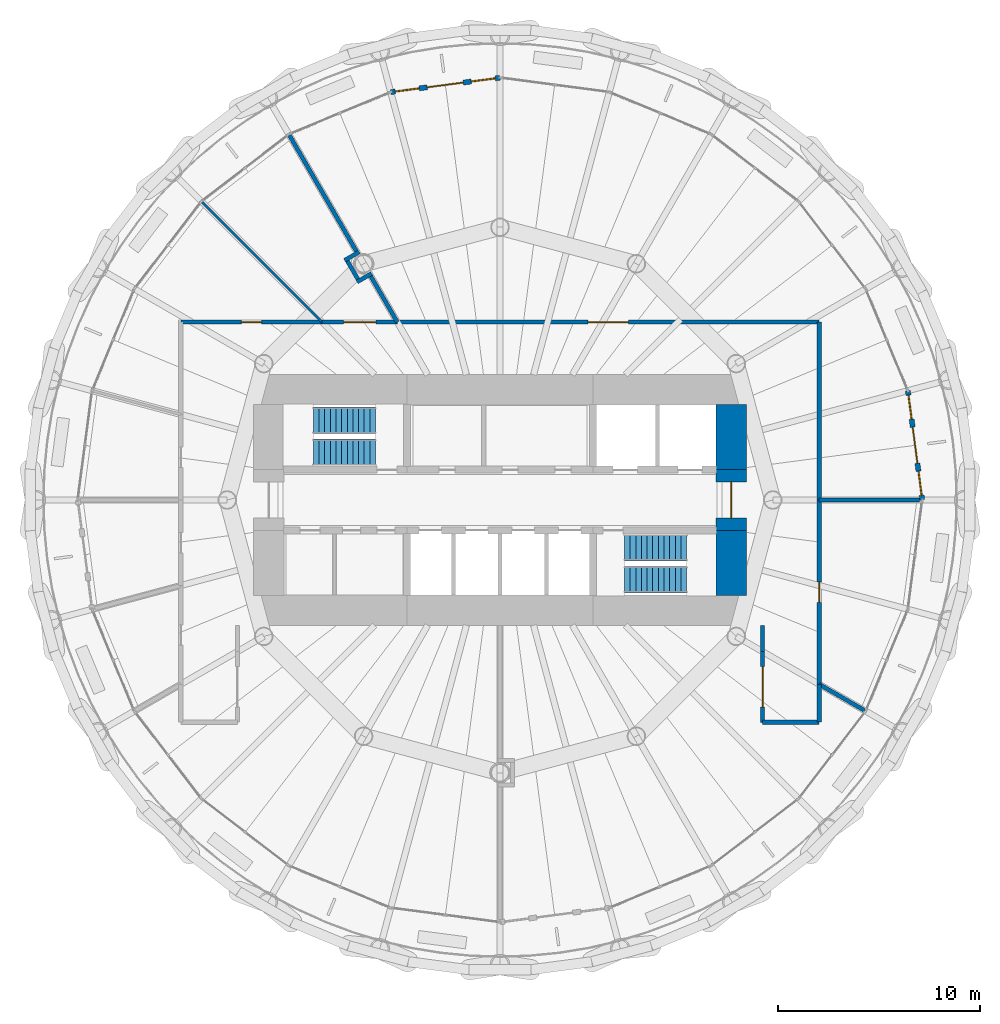
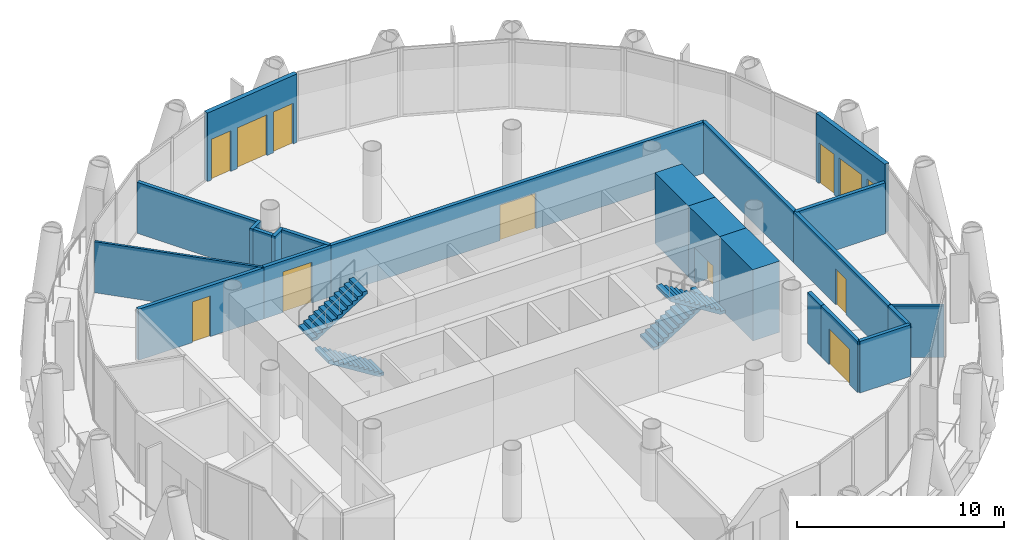
# One storey, part 11 of 14: 22 walls, 8 doors, 4 stair flights, 4 windows, 12 openings, 2 elements without a shape of their own.
"""IFC4 building model written with IfcOpenShell, lengths in metres."""

from ifc_helpers import new_model, si_unit, direction, frame, frame_2d, origin, place, context, subcontext, project, spatial, polyline, rectangle, outline, extrude, material, layer, layer_set, type_object, element, fill, aggregate, save


model = new_model("IFC4")

# Units and contexts
model_context = context("Model", 3, precision=1e-05, world=origin(), true_north=direction((0.0, 1.0)))
body_context = subcontext(model_context, "Body", "Model", "MODEL_VIEW")
ifc_project = project(units=[si_unit("LENGTHUNIT", "METRE"), si_unit("AREAUNIT", "SQUARE_METRE"), si_unit("VOLUMEUNIT", "CUBIC_METRE"), si_unit("PLANEANGLEUNIT", "RADIAN"), si_unit("MASSUNIT", "GRAM", prefix="KILO")], contexts=[model_context])

# Site, building, storey
site_placement = place(None, origin())
site = spatial("IfcSite", under=ifc_project, at=site_placement, CompositionType="ELEMENT")
building_placement = place(site_placement, origin())
building = spatial("IfcBuilding", under=site, at=building_placement, Name="Qaws Media Tower", CompositionType="ELEMENT")
storey_placement = place(building_placement, frame((0.0, 0.0, 206.60009765625)))
storey = spatial("IfcBuildingStorey", under=building, at=storey_placement, Name="L47", CompositionType="ELEMENT", Elevation=206.60009765625)

# Wall, openings, door, windows
ifc_material_1 = material(Name="Precast concrete, exposed finish", Category="concrete")
ifc_layer_1 = layer(ifc_material_1, 0.25)
ifc_layer_set_1 = layer_set([ifc_layer_1], Name="Balcony door wall 250")
wall_type_1 = type_object("IfcWallType", Name="Balcony door wall 250", PredefinedType="SOLIDWALL", material=ifc_layer_set_1)
wall_1_placement = place(storey_placement, frame((80.89990234375, 50.0, 0.0), z_axis=(0.0, 0.0, 1.0), x_axis=(-0.130525119492, 0.991445002601, 0.0)))
wall_1 = element("IfcWall", 1, at=wall_1_placement, inside=storey, type_object=wall_type_1, Name="W112 EW1 balcony door wall L47-01", PredefinedType="SOLIDWALL", context=body_context, shape_type="SweptSolid", body=[
    extrude(rectangle(XDim=5.4560546875, YDim=0.25, at=frame_2d((2.72802734375, 0.0))), origin(), (0.0, 0.0, 1.0), 4.039794921875),
])
opening_1_placement = place(wall_1_placement, frame((1.827880859375, 0.0, 0.0)))
opening_1 = element("IfcOpeningElement", 2, at=opening_1_placement, cuts=wall_1, Name="Opening D7", PredefinedType="OPENING", context=body_context, shape_type="SweptSolid", body=[
    extrude(rectangle(XDim=1.800048828125, YDim=2.39990234375, at=frame_2d((0.89990234375, 1.199951171875))), frame((0.0, 0.135009765625, 0.0), z_axis=(0.0, -1.0, 0.0), x_axis=(1.0, 0.0, 0.0)), (0.0, 0.0, 1.0), 0.27001953125),
])
opening_2_placement = place(wall_1_placement, frame((0.22802734375, 0.0, 0.0)))
opening_2 = element("IfcOpeningElement", 3, at=opening_2_placement, cuts=wall_1, Name="Opening W1", PredefinedType="OPENING", context=body_context, shape_type="SweptSolid", body=[
    extrude(rectangle(XDim=1.199951171875, YDim=2.39990234375, at=frame_2d((0.60009765625, 1.199951171875))), frame((0.0, 0.135009765625, 0.0), z_axis=(0.0, -1.0, 0.0), x_axis=(1.0, 0.0, 0.0)), (0.0, 0.0, 1.0), 0.27001953125),
])
opening_3_placement = place(wall_1_placement, frame((4.028076171875, 0.0, 0.0)))
opening_3 = element("IfcOpeningElement", 4, at=opening_3_placement, cuts=wall_1, Name="Opening W1", PredefinedType="OPENING", context=body_context, shape_type="SweptSolid", body=[
    extrude(rectangle(XDim=1.199951171875, YDim=2.39990234375, at=frame_2d((0.60009765625, 1.199951171875))), frame((0.0, 0.135009765625, 0.0), z_axis=(0.0, -1.0, 0.0), x_axis=(1.0, 0.0, 0.0)), (0.0, 0.0, 1.0), 0.27001953125),
])
ifc_material_2 = material(Name="Aluminium and clear glass", Category="aluminium")
door_type_1 = type_object("IfcDoorType", Name="Balcony door pair 1800", OperationType="DOUBLE_DOOR_SLIDING", PredefinedType="DOOR", material=ifc_material_2)
door_1_placement = place(opening_1_placement, origin())
door_1 = element("IfcDoor", 5, at=door_1_placement, inside=storey, type_object=door_type_1, Name="D7 balcony door L47-01 in wall W112", OperationType="DOUBLE_DOOR_SLIDING", OverallHeight=2.39990234375, OverallWidth=1.800048828125, PredefinedType="DOOR", context=body_context, shape_type="SweptSolid", body=[
    extrude(rectangle(XDim=1.800048828125, YDim=2.39990234375, at=frame_2d((0.89990234375, 1.199951171875))), frame((0.0, 0.02490234375, 0.0), z_axis=(0.0, -1.0, 0.0), x_axis=(1.0, 0.0, 0.0)), (0.0, 0.0, 1.0), 0.050048828125),
])
fill(opening_1, door_1)
ifc_material_3 = material(Name="Aluminium and clear glass", Category="aluminium")
window_type = type_object("IfcWindowType", Name="Balcony side window 1200", PartitioningType="SINGLE_PANEL", PredefinedType="WINDOW", material=ifc_material_3)
window_1_placement = place(opening_2_placement, origin())
window_1 = element("IfcWindow", 6, at=window_1_placement, inside=storey, type_object=window_type, Name="W1 balcony side light L47-01L", OverallHeight=2.39990234375, OverallWidth=1.199951171875, PartitioningType="SINGLE_PANEL", PredefinedType="WINDOW", context=body_context, shape_type="SweptSolid", body=[
    extrude(rectangle(XDim=1.199951171875, YDim=2.39990234375, at=frame_2d((0.60009765625, 1.199951171875))), frame((0.0, 0.030029296875, 0.0), z_axis=(0.0, -1.0, 0.0), x_axis=(1.0, 0.0, 0.0)), (0.0, 0.0, 1.0), 0.06005859375),
])
fill(opening_2, window_1)
window_2_placement = place(opening_3_placement, origin())
window_2 = element("IfcWindow", 7, at=window_2_placement, inside=storey, type_object=window_type, Name="W1 balcony side light L47-01R", OverallHeight=2.39990234375, OverallWidth=1.199951171875, PartitioningType="SINGLE_PANEL", PredefinedType="WINDOW", context=body_context, shape_type="SweptSolid", body=[
    extrude(rectangle(XDim=1.199951171875, YDim=2.39990234375, at=frame_2d((0.60009765625, 1.199951171875))), frame((0.0, 0.030029296875, 0.0), z_axis=(0.0, -1.0, 0.0), x_axis=(1.0, 0.0, 0.0)), (0.0, 0.0, 1.0), 0.06005859375),
])
fill(opening_3, window_2)

wall_2_placement = place(storey_placement, frame((60.0, 70.89990234375, 0.0), z_axis=(0.0, 0.0, 1.0), x_axis=(-0.991445002601, -0.130525119492, 0.0)))
wall_2 = element("IfcWall", 8, at=wall_2_placement, inside=storey, type_object=wall_type_1, Name="W111 EW1 balcony door wall L47-07", PredefinedType="SOLIDWALL", context=body_context, shape_type="SweptSolid", body=[
    extrude(rectangle(XDim=5.4560546875, YDim=0.25, at=frame_2d((2.72802734375, 0.0))), origin(), (0.0, 0.0, 1.0), 4.039794921875),
])
opening_4_placement = place(wall_2_placement, frame((1.827880859375, 0.0, 0.0)))
opening_4 = element("IfcOpeningElement", 9, at=opening_4_placement, cuts=wall_2, Name="Opening D7", PredefinedType="OPENING", context=body_context, shape_type="SweptSolid", body=[
    extrude(rectangle(XDim=1.800048828125, YDim=2.39990234375, at=frame_2d((0.89990234375, 1.199951171875))), frame((0.0, 0.135009765625, 0.0), z_axis=(0.0, -1.0, 0.0), x_axis=(1.0, 0.0, 0.0)), (0.0, 0.0, 1.0), 0.27001953125),
])
opening_5_placement = place(wall_2_placement, frame((0.22802734375, 0.0, 0.0)))
opening_5 = element("IfcOpeningElement", 10, at=opening_5_placement, cuts=wall_2, Name="Opening W1", PredefinedType="OPENING", context=body_context, shape_type="SweptSolid", body=[
    extrude(rectangle(XDim=1.199951171875, YDim=2.39990234375, at=frame_2d((0.60009765625, 1.199951171875))), frame((0.0, 0.135009765625, 0.0), z_axis=(0.0, -1.0, 0.0), x_axis=(1.0, 0.0, 0.0)), (0.0, 0.0, 1.0), 0.27001953125),
])
opening_6_placement = place(wall_2_placement, frame((4.028076171875, 0.0, 0.0)))
opening_6 = element("IfcOpeningElement", 11, at=opening_6_placement, cuts=wall_2, Name="Opening W1", PredefinedType="OPENING", context=body_context, shape_type="SweptSolid", body=[
    extrude(rectangle(XDim=1.199951171875, YDim=2.39990234375, at=frame_2d((0.60009765625, 1.199951171875))), frame((0.0, 0.135009765625, 0.0), z_axis=(0.0, -1.0, 0.0), x_axis=(1.0, 0.0, 0.0)), (0.0, 0.0, 1.0), 0.27001953125),
])
door_2_placement = place(opening_4_placement, origin())
door_2 = element("IfcDoor", 12, at=door_2_placement, inside=storey, type_object=door_type_1, Name="D7 balcony door L47-07 in wall W111", OperationType="DOUBLE_DOOR_SLIDING", OverallHeight=2.39990234375, OverallWidth=1.800048828125, PredefinedType="DOOR", context=body_context, shape_type="SweptSolid", body=[
    extrude(rectangle(XDim=1.800048828125, YDim=2.39990234375, at=frame_2d((0.89990234375, 1.199951171875))), frame((0.0, 0.02490234375, 0.0), z_axis=(0.0, -1.0, 0.0), x_axis=(1.0, 0.0, 0.0)), (0.0, 0.0, 1.0), 0.050048828125),
])
fill(opening_4, door_2)
window_3_placement = place(opening_5_placement, origin())
window_3 = element("IfcWindow", 13, at=window_3_placement, inside=storey, type_object=window_type, Name="W1 balcony side light L47-07L", OverallHeight=2.39990234375, OverallWidth=1.199951171875, PartitioningType="SINGLE_PANEL", PredefinedType="WINDOW", context=body_context, shape_type="SweptSolid", body=[
    extrude(rectangle(XDim=1.199951171875, YDim=2.39990234375, at=frame_2d((0.60009765625, 1.199951171875))), frame((0.0, 0.030029296875, 0.0), z_axis=(0.0, -1.0, 0.0), x_axis=(1.0, 0.0, 0.0)), (0.0, 0.0, 1.0), 0.06005859375),
])
fill(opening_5, window_3)
window_4_placement = place(opening_6_placement, origin())
window_4 = element("IfcWindow", 14, at=window_4_placement, inside=storey, type_object=window_type, Name="W1 balcony side light L47-07R", OverallHeight=2.39990234375, OverallWidth=1.199951171875, PartitioningType="SINGLE_PANEL", PredefinedType="WINDOW", context=body_context, shape_type="SweptSolid", body=[
    extrude(rectangle(XDim=1.199951171875, YDim=2.39990234375, at=frame_2d((0.60009765625, 1.199951171875))), frame((0.0, 0.030029296875, 0.0), z_axis=(0.0, -1.0, 0.0), x_axis=(1.0, 0.0, 0.0)), (0.0, 0.0, 1.0), 0.06005859375),
])
fill(opening_6, window_4)

# Wall
ifc_material_4 = material(Name="Concrete C60/75", Category="concrete")
ifc_layer_2 = layer(ifc_material_4, 1.5)
ifc_layer_set_2 = layer_set([ifc_layer_2], Name="Core wall 1500")
wall_type_2 = type_object("IfcWallType", Name="Core wall 1500", PredefinedType="SHEAR", material=ifc_layer_set_2)
wall_3_placement = place(storey_placement, frame((71.449951171875, 45.280029296875, 0.0), z_axis=(0.0, 0.0, 1.0), x_axis=(0.0, 1.0, 0.0)))
element("IfcWall", 15, at=wall_3_placement, inside=storey, type_object=wall_type_2, Name="W383 SW13 core wall ES L47", PredefinedType="SHEAR", context=body_context, shape_type="SweptSolid", body=[
    extrude(rectangle(XDim=3.219970703125, YDim=1.5, at=frame_2d((1.60986328125, 0.0))), origin(), (0.0, 0.0, 1.0), 4.199951171875),
])

# Wall, opening, door
wall_4_placement = place(storey_placement, frame((71.449951171875, 48.5, 0.0), z_axis=(0.0, 0.0, 1.0), x_axis=(0.0, 1.0, 0.0)))
wall_4 = element("IfcWall", 16, at=wall_4_placement, inside=storey, type_object=wall_type_2, Name="W384 SW13 core wall E L47", PredefinedType="SHEAR", context=body_context, shape_type="SweptSolid", body=[
    extrude(rectangle(XDim=3.0, YDim=1.5, at=frame_2d((1.5, 0.0))), origin(), (0.0, 0.0, 1.0), 4.199951171875),
])
opening_7_placement = place(wall_4_placement, frame((0.60009765625, 0.0, 0.0)))
opening_7 = element("IfcOpeningElement", 17, at=opening_7_placement, cuts=wall_4, Name="Opening D2", PredefinedType="OPENING", context=body_context, shape_type="SweptSolid", body=[
    extrude(rectangle(XDim=1.800048828125, YDim=2.10009765625, at=frame_2d((0.89990234375, 1.050048828125))), frame((0.0, 0.760009765625, 0.0), z_axis=(0.0, -1.0, 0.0), x_axis=(1.0, 0.0, 0.0)), (0.0, 0.0, 1.0), 1.52001953125),
])
ifc_material_5 = material(Name="Steel and glass, fire rated", Category="steel")
door_type_2 = type_object("IfcDoorType", Name="Lobby door pair 1800 FD60", OperationType="DOUBLE_DOOR_DOUBLE_SWING", PredefinedType="DOOR", material=ifc_material_5)
door_3_placement = place(opening_7_placement, origin())
door_3 = element("IfcDoor", 18, at=door_3_placement, inside=storey, type_object=door_type_2, Name="D2 core lobby door E L47 in wall W384", OperationType="DOUBLE_DOOR_DOUBLE_SWING", OverallHeight=2.10009765625, OverallWidth=1.800048828125, PredefinedType="DOOR", context=body_context, shape_type="SweptSolid", body=[
    extrude(rectangle(XDim=1.800048828125, YDim=2.10009765625, at=frame_2d((0.89990234375, 1.050048828125))), frame((0.0, 0.02490234375, 0.0), z_axis=(0.0, -1.0, 0.0), x_axis=(1.0, 0.0, 0.0)), (0.0, 0.0, 1.0), 0.050048828125),
])
fill(opening_7, door_3)

# Walls
wall_5_placement = place(storey_placement, frame((71.449951171875, 51.5, 0.0), z_axis=(0.0, 0.0, 1.0), x_axis=(0.0, 1.0, 0.0)))
element("IfcWall", 19, at=wall_5_placement, inside=storey, type_object=wall_type_2, Name="W385 SW13 core wall EN L47", PredefinedType="SHEAR", context=body_context, shape_type="SweptSolid", body=[
    extrude(rectangle(XDim=3.219970703125, YDim=1.5, at=frame_2d((1.60986328125, 0.0))), origin(), (0.0, 0.0, 1.0), 4.199951171875),
])
ifc_material_6 = material(Name="Two layers gypsum board each side on 75 studs, insulated", Category="gypsum")
ifc_layer_3 = layer(ifc_material_6, 0.125)
ifc_layer_set_3 = layer_set([ifc_layer_3], Name="Meeting room partition 125 Rw 48")
wall_type_3 = type_object("IfcWallType", Name="Meeting room partition 125 Rw 48", PredefinedType="PARTITIONING", material=ifc_layer_set_3)
wall_6_placement = place(storey_placement, frame((51.20361328125, 58.79638671875, 0.0), z_axis=(0.0, 0.0, 1.0), x_axis=(-0.707106781187, 0.707106781187, 0.0)))
element("IfcWall", 20, at=wall_6_placement, inside=storey, type_object=wall_type_3, Name="W598 IW5 partition L47", PredefinedType="PARTITIONING", context=body_context, shape_type="SweptSolid", body=[
    extrude(rectangle(XDim=8.419921875, YDim=0.125, at=frame_2d((4.2099609375, 0.0))), origin(), (0.0, 0.0, 1.0), 3.011962890625),
])

# Wall, opening, door
ifc_material_7 = material(Name="Gypsum board on galvanised metal studs, acoustic double stud, deflection head", Category="gypsum")
ifc_layer_4 = layer(ifc_material_7, 0.199951171875)
ifc_layer_set_4 = layer_set([ifc_layer_4], Name="Room partition 200")
wall_type_4 = type_object("IfcWallType", Name="Room partition 200", PredefinedType="PARTITIONING", material=ifc_layer_set_4)
wall_7_placement = place(storey_placement, frame((44.199951171875, 58.800048828125, 0.0), z_axis=(0.0, 0.0, 1.0), x_axis=(1.0, 0.0, 0.0)))
wall_7 = element("IfcWall", 21, at=wall_7_placement, inside=storey, type_object=wall_type_4, Name="W1526 IW3 partition L47", PredefinedType="PARTITIONING", context=body_context, shape_type="SweptSolid", body=[
    extrude(rectangle(XDim=7.0, YDim=0.199951171875, at=frame_2d((3.5, 0.0))), origin(), (0.0, 0.0, 1.0), 3.011962890625),
])
opening_8_placement = place(wall_7_placement, frame((3.0, 0.0, 0.0)))
opening_8 = element("IfcOpeningElement", 22, at=opening_8_placement, cuts=wall_7, Name="Opening D13", PredefinedType="OPENING", context=body_context, shape_type="SweptSolid", body=[
    extrude(rectangle(XDim=1.0, YDim=2.39990234375, at=frame_2d((0.5, 1.199951171875))), frame((0.0, 0.10986328125, 0.0), z_axis=(0.0, -1.0, 0.0), x_axis=(1.0, 0.0, 0.0)), (0.0, 0.0, 1.0), 0.219970703125),
])
ifc_material_8 = material(Name="Frameless toughened glass, acoustic seals", Category="glass")
door_type_3 = type_object("IfcDoorType", Name="Glazed meeting room door 1000x2400", OperationType="SINGLE_SWING_LEFT", PredefinedType="DOOR", material=ifc_material_8)
door_4_placement = place(opening_8_placement, origin())
door_4 = element("IfcDoor", 23, at=door_4_placement, inside=storey, type_object=door_type_3, Name="D13 Meeting room door L47 in wall W1526", OperationType="SINGLE_SWING_LEFT", OverallHeight=2.39990234375, OverallWidth=1.0, PredefinedType="DOOR", context=body_context, shape_type="SweptSolid", body=[
    extrude(rectangle(XDim=1.0, YDim=2.39990234375, at=frame_2d((0.5, 1.199951171875))), frame((0.0, 0.02490234375, 0.0), z_axis=(0.0, -1.0, 0.0), x_axis=(1.0, 0.0, 0.0)), (0.0, 0.0, 1.0), 0.050048828125),
])
fill(opening_8, door_4)

wall_8_placement = place(storey_placement, frame((51.199951171875, 58.800048828125, 0.0), z_axis=(0.0, 0.0, 1.0), x_axis=(1.0, 0.0, 0.0)))
wall_8 = element("IfcWall", 24, at=wall_8_placement, inside=storey, type_object=wall_type_4, Name="W1529 IW3 partition L47", PredefinedType="PARTITIONING", context=body_context, shape_type="SweptSolid", body=[
    extrude(rectangle(XDim=3.71923828125, YDim=0.199951171875, at=frame_2d((1.859619140625, 0.0))), origin(), (0.0, 0.0, 1.0), 3.039794921875),
])
opening_9_placement = place(wall_8_placement, frame((1.059814453125, 0.0, 0.0)))
opening_9 = element("IfcOpeningElement", 25, at=opening_9_placement, cuts=wall_8, Name="Opening D16", PredefinedType="OPENING", context=body_context, shape_type="SweptSolid", body=[
    extrude(rectangle(XDim=1.60009765625, YDim=2.39990234375, at=frame_2d((0.800048828125, 1.199951171875))), frame((0.0, 0.10986328125, 0.0), z_axis=(0.0, -1.0, 0.0), x_axis=(1.0, 0.0, 0.0)), (0.0, 0.0, 1.0), 0.219970703125),
])
ifc_material_9 = material(Name="Glazed aluminium, fire rated", Category="aluminium")
door_type_4 = type_object("IfcDoorType", Name="Tenant entrance door pair 1600x2400", OperationType="DOUBLE_DOOR_DOUBLE_SWING", PredefinedType="DOOR", material=ifc_material_9)
door_5_placement = place(opening_9_placement, origin())
door_5 = element("IfcDoor", 26, at=door_5_placement, inside=storey, type_object=door_type_4, Name="D16 Tenant reception door L47 in wall W1529", OperationType="DOUBLE_DOOR_DOUBLE_SWING", OverallHeight=2.39990234375, OverallWidth=1.60009765625, PredefinedType="DOOR", context=body_context, shape_type="SweptSolid", body=[
    extrude(rectangle(XDim=1.60009765625, YDim=2.39990234375, at=frame_2d((0.800048828125, 1.199951171875))), frame((0.0, 0.02490234375, 0.0), z_axis=(0.0, -1.0, 0.0), x_axis=(1.0, 0.0, 0.0)), (0.0, 0.0, 1.0), 0.050048828125),
])
fill(opening_9, door_5)

wall_9_placement = place(storey_placement, frame((54.919189453125, 58.800048828125, 0.0), z_axis=(0.0, 0.0, 1.0), x_axis=(1.0, 0.0, 0.0)))
wall_9 = element("IfcWall", 27, at=wall_9_placement, inside=storey, type_object=wall_type_4, Name="W1534 IW3 partition L47", PredefinedType="PARTITIONING", context=body_context, shape_type="SweptSolid", body=[
    extrude(rectangle(XDim=20.880859375, YDim=0.199951171875, at=frame_2d((10.4404296875, 0.0))), origin(), (0.0, 0.0, 1.0), 3.011962890625),
])
opening_10_placement = place(wall_9_placement, frame((9.440185546875, 0.0, 0.0)))
opening_10 = element("IfcOpeningElement", 28, at=opening_10_placement, cuts=wall_9, Name="Opening D6", PredefinedType="OPENING", context=body_context, shape_type="SweptSolid", body=[
    extrude(rectangle(XDim=2.0, YDim=2.10009765625, at=frame_2d((1.0, 1.050048828125))), frame((0.0, 0.10986328125, 0.0), z_axis=(0.0, -1.0, 0.0), x_axis=(1.0, 0.0, 0.0)), (0.0, 0.0, 1.0), 0.219970703125),
])
ifc_material_10 = material(Name="Steel, acoustic, fire rated", Category="steel")
door_type_5 = type_object("IfcDoorType", Name="Room door pair 2000", OperationType="DOUBLE_DOOR_DOUBLE_SWING", PredefinedType="DOOR", material=ifc_material_10)
door_6_placement = place(opening_10_placement, origin())
door_6 = element("IfcDoor", 29, at=door_6_placement, inside=storey, type_object=door_type_5, Name="D6 Tenant studio office door L47 in wall W1534", OperationType="DOUBLE_DOOR_DOUBLE_SWING", OverallHeight=2.10009765625, OverallWidth=2.0, PredefinedType="DOOR", context=body_context, shape_type="SweptSolid", body=[
    extrude(rectangle(XDim=2.0, YDim=2.10009765625, at=frame_2d((1.0, 1.050048828125))), frame((0.0, 0.02490234375, 0.0), z_axis=(0.0, -1.0, 0.0), x_axis=(1.0, 0.0, 0.0)), (0.0, 0.0, 1.0), 0.050048828125),
])
fill(opening_10, door_6)

# Wall
wall_10_placement = place(storey_placement, frame((75.800048828125, 58.800048828125, 0.0), z_axis=(0.0, 0.0, 1.0), x_axis=(0.0, -1.0, 0.0)))
element("IfcWall", 30, at=wall_10_placement, inside=storey, type_object=wall_type_4, Name="W1545 IW3 partition L47", PredefinedType="PARTITIONING", context=body_context, shape_type="SweptSolid", body=[
    extrude(rectangle(XDim=8.800048828125, YDim=0.199951171875, at=frame_2d((4.39990234375, 0.0))), origin(), (0.0, 0.0, 1.0), 3.011962890625),
])

# Wall, opening, door
wall_11_placement = place(storey_placement, frame((75.800048828125, 50.0, 0.0), z_axis=(0.0, 0.0, 1.0), x_axis=(0.0, -1.0, 0.0)))
wall_11 = element("IfcWall", 31, at=wall_11_placement, inside=storey, type_object=wall_type_4, Name="W1375 IW3 partition L47", PredefinedType="PARTITIONING", context=body_context, shape_type="SweptSolid", body=[
    extrude(rectangle(XDim=9.1220703125, YDim=0.199951171875, at=frame_2d((4.56103515625, 0.0))), origin(), (0.0, 0.0, 1.0), 3.011962890625),
])
opening_11_placement = place(wall_11_placement, frame((4.06103515625, 0.0, 0.0)))
opening_11 = element("IfcOpeningElement", 32, at=opening_11_placement, cuts=wall_11, Name="Opening D5", PredefinedType="OPENING", context=body_context, shape_type="SweptSolid", body=[
    extrude(rectangle(XDim=1.0, YDim=2.10009765625, at=frame_2d((0.5, 1.050048828125))), frame((0.0, 0.10986328125, 0.0), z_axis=(0.0, -1.0, 0.0), x_axis=(1.0, 0.0, 0.0)), (0.0, 0.0, 1.0), 0.219970703125),
])
ifc_material_11 = material(Name="Timber veneered, acoustic seal", Category="wood")
door_type_6 = type_object("IfcDoorType", Name="Room door 1000", OperationType="SINGLE_SWING_LEFT", PredefinedType="DOOR", material=ifc_material_11)
door_7_placement = place(opening_11_placement, origin())
door_7 = element("IfcDoor", 33, at=door_7_placement, inside=storey, type_object=door_type_6, Name="D5 Tenant studio office door L47 in wall W1375", OperationType="SINGLE_SWING_LEFT", OverallHeight=2.10009765625, OverallWidth=1.0, PredefinedType="DOOR", context=body_context, shape_type="SweptSolid", body=[
    extrude(rectangle(XDim=1.0, YDim=2.10009765625, at=frame_2d((0.5, 1.050048828125))), frame((0.0, 0.02490234375, 0.0), z_axis=(0.0, -1.0, 0.0), x_axis=(1.0, 0.0, 0.0)), (0.0, 0.0, 1.0), 0.050048828125),
])
fill(opening_11, door_7)

# Walls
wall_12_placement = place(storey_placement, frame((75.800048828125, 40.8779296875, 0.0), z_axis=(0.0, 0.0, 1.0), x_axis=(0.0, -1.0, 0.0)))
element("IfcWall", 34, at=wall_12_placement, inside=storey, type_object=wall_type_4, Name="W1374 IW3 partition L47", PredefinedType="PARTITIONING", context=body_context, shape_type="SweptSolid", body=[
    extrude(rectangle(XDim=1.8779296875, YDim=0.199951171875, at=frame_2d((0.93896484375, 0.0))), origin(), (0.0, 0.0, 1.0), 3.011962890625),
])
wall_13_placement = place(storey_placement, frame((75.800048828125, 39.0, 0.0), z_axis=(0.0, 0.0, 1.0), x_axis=(-1.0, 0.0, 0.0)))
element("IfcWall", 35, at=wall_13_placement, inside=storey, type_object=wall_type_4, Name="W1231 IW3 partition L47", PredefinedType="PARTITIONING", context=body_context, shape_type="SweptSolid", body=[
    extrude(rectangle(XDim=2.800048828125, YDim=0.199951171875, at=frame_2d((1.39990234375, 0.0))), origin(), (0.0, 0.0, 1.0), 3.039794921875),
])

# Wall, opening, door
wall_14_placement = place(storey_placement, frame((73.0, 39.0, 0.0), z_axis=(0.0, 0.0, 1.0), x_axis=(0.0, 1.0, 0.0)))
wall_14 = element("IfcWall", 36, at=wall_14_placement, inside=storey, type_object=wall_type_4, Name="W1371 IW3 partition L47", PredefinedType="PARTITIONING", context=body_context, shape_type="SweptSolid", body=[
    extrude(rectangle(XDim=3.494384765625, YDim=0.199951171875, at=frame_2d((1.7470703125, 0.0))), origin(), (0.0, 0.0, 1.0), 3.011962890625),
])
opening_12_placement = place(wall_14_placement, frame((0.747314453125, 0.0, 0.0)))
opening_12 = element("IfcOpeningElement", 37, at=opening_12_placement, cuts=wall_14, Name="Opening D6", PredefinedType="OPENING", context=body_context, shape_type="SweptSolid", body=[
    extrude(rectangle(XDim=2.0, YDim=2.10009765625, at=frame_2d((1.0, 1.050048828125))), frame((0.0, 0.10986328125, 0.0), z_axis=(0.0, -1.0, 0.0), x_axis=(1.0, 0.0, 0.0)), (0.0, 0.0, 1.0), 0.219970703125),
])
door_8_placement = place(opening_12_placement, origin())
door_8 = element("IfcDoor", 38, at=door_8_placement, inside=storey, type_object=door_type_5, Name="D6 Tenant studio office door L47 in wall W1371", OperationType="DOUBLE_DOOR_DOUBLE_SWING", OverallHeight=2.10009765625, OverallWidth=2.0, PredefinedType="DOOR", context=body_context, shape_type="SweptSolid", body=[
    extrude(rectangle(XDim=2.0, YDim=2.10009765625, at=frame_2d((1.0, 1.050048828125))), frame((0.0, 0.02490234375, 0.0), z_axis=(0.0, -1.0, 0.0), x_axis=(1.0, 0.0, 0.0)), (0.0, 0.0, 1.0), 0.050048828125),
])
fill(opening_12, door_8)

# Walls
wall_15_placement = place(storey_placement, frame((73.0, 42.494384765625, 0.0), z_axis=(0.0, 0.0, 1.0), x_axis=(0.0, 1.0, 0.0)))
element("IfcWall", 39, at=wall_15_placement, inside=storey, type_object=wall_type_4, Name="W1542 IW3 partition L47", PredefinedType="PARTITIONING", context=body_context, shape_type="SweptSolid", body=[
    extrude(rectangle(XDim=1.3056640625, YDim=0.199951171875, at=frame_2d((0.65283203125, 0.0))), origin(), (0.0, 0.0, 1.0), 3.011962890625),
])
wall_16_placement = place(storey_placement, frame((75.800048828125, 50.0, 0.0), z_axis=(0.0, 0.0, 1.0), x_axis=(1.0, 0.0, 0.0)))
element("IfcWall", 40, at=wall_16_placement, inside=storey, type_object=wall_type_4, Name="W1555 IW3 partition L47", PredefinedType="PARTITIONING", context=body_context, shape_type="SweptSolid", body=[
    extrude(rectangle(XDim=4.9599609375, YDim=0.199951171875, at=frame_2d((2.47998046875, 0.0))), origin(), (0.0, 0.0, 1.0), 3.011962890625),
])
for number, where, z_axis, x_axis, name in (
    (41, (53.64501953125, 61.20703125, 0.0), (0.0, 0.0, 1.0), (-0.865944638795, -0.50013986298, 0.0), "W1552 IW3 partition return L47"),
    (42, (53.028076171875, 62.275634765625, 0.0), (0.0, 0.0, 1.0), (-0.866072496716, -0.499918423778, 0.0), "W1551 IW3 partition return L47"),
):
    element("IfcWall", number, at=place(storey_placement, frame(where, z_axis=z_axis, x_axis=x_axis)), inside=storey, type_object=wall_type_4, Name=name, PredefinedType="PARTITIONING", context=body_context, shape_type="SweptSolid", body=[
        extrude(rectangle(XDim=0.826904296875, YDim=0.199951171875, at=frame_2d((0.41357421875, 0.0))), origin(), (0.0, 0.0, 1.0), 3.011962890625),
    ])
wall_17_placement = place(storey_placement, frame((52.965576171875, 60.93017578125, 0.0), z_axis=(0.0, 0.0, 1.0), x_axis=(-0.500049439734, 0.865996857859, 0.0)))
element("IfcWall", 43, at=wall_17_placement, inside=storey, type_object=wall_type_4, Name="W1550 IW3 partition return L47", PredefinedType="PARTITIONING", context=body_context, shape_type="SweptSolid", body=[
    extrude(rectangle(XDim=1.0341796875, YDim=0.199951171875, at=frame_2d((0.51708984375, 0.0))), origin(), (0.0, 0.0, 1.0), 3.011962890625),
])
wall_18_placement = place(storey_placement, frame((54.919921875, 58.798828125, 0.0), z_axis=(0.0, 0.0, 1.0), x_axis=(-0.500023253097, 0.866011978186, 0.0)))
element("IfcWall", 44, at=wall_18_placement, inside=storey, type_object=wall_type_4, Name="W1535 IW3 partition L47", PredefinedType="PARTITIONING", context=body_context, shape_type="SweptSolid", body=[
    extrude(rectangle(XDim=2.623046875, YDim=0.199951171875, at=frame_2d((1.3115234375, 0.0))), origin(), (0.0, 0.0, 1.0), 3.039794921875),
])
wall_19_placement = place(storey_placement, frame((52.8916015625, 62.312255859375, 0.0), z_axis=(0.0, 0.0, 1.0), x_axis=(-0.500008772367, 0.866020338997, 0.0)))
element("IfcWall", 45, at=wall_19_placement, inside=storey, type_object=wall_type_4, Name="W1549 IW3 partition L47", PredefinedType="PARTITIONING", context=body_context, shape_type="SweptSolid", body=[
    extrude(rectangle(XDim=6.64306640625, YDim=0.199951171875, at=frame_2d((3.321533203125, 0.0))), origin(), (0.0, 0.0, 1.0), 3.011962890625),
])
wall_20_placement = place(storey_placement, frame((75.79638671875, 40.8798828125, 0.0), z_axis=(0.0, 0.0, 1.0), x_axis=(0.866038157305, -0.499977909603, 0.0)))
element("IfcWall", 46, at=wall_20_placement, inside=storey, type_object=wall_type_4, Name="W1554 IW3 partition L47", PredefinedType="PARTITIONING", context=body_context, shape_type="SweptSolid", body=[
    extrude(rectangle(XDim=2.61962890625, YDim=0.199951171875, at=frame_2d((1.309814453125, 0.0))), origin(), (0.0, 0.0, 1.0), 3.011962890625),
])

# Stair, stair flights
ifc_material_12 = material(Name="Concrete C40/50", Category="concrete")
stair_type = type_object("IfcStairType", Name="Exit stair", PredefinedType="HALF_TURN_STAIR", material=ifc_material_12)
stair_1_placement = place(storey_placement, origin())
stair_1 = element("IfcStair", 47, at=stair_1_placement, inside=storey, type_object=stair_type, Name="S1 exit stair L47", PredefinedType="HALF_TURN_STAIR")
ifc_material_13 = material(Name="Concrete C40/50", Category="concrete")
stair_flight_type = type_object("IfcStairFlightType", Name="Stair flight 1310", PredefinedType="STRAIGHT", material=ifc_material_13)
stair_flight_1_placement = place(storey_placement, frame((53.840087890625, 52.35498046875, 0.0), z_axis=(0.0, 0.0, 1.0), x_axis=(-1.0, 0.0, 0.0)))
stair_flight_1 = element("IfcStairFlight", 48, at=stair_flight_1_placement, type_object=stair_flight_type, Name="S1 flight 1", NumberOfRisers=12, NumberOfTreads=11, PredefinedType="STRAIGHT", RiserHeight=0.175, TreadLength=0.28, context=body_context, shape_type="SweptSolid", body=[
    extrude(outline(polyline([(0.0, 0.0), (0.0, 0.175048828125), (0.280029296875, 0.175048828125), (0.280029296875, 0.35009765625), (0.56005859375, 0.35009765625), (0.56005859375, 0.52490234375), (0.840087890625, 0.52490234375), (0.840087890625, 0.699951171875), (1.1201171875, 0.699951171875), (1.1201171875, 0.875), (1.39990234375, 0.875), (1.39990234375, 1.050048828125), (1.679931640625, 1.050048828125), (1.679931640625, 1.22509765625), (1.9599609375, 1.22509765625), (1.9599609375, 1.39990234375), (2.239990234375, 1.39990234375), (2.239990234375, 1.574951171875), (2.52001953125, 1.574951171875), (2.52001953125, 1.75), (2.800048828125, 1.75), (2.800048828125, 1.925048828125), (3.080078125, 1.925048828125), (3.080078125, 2.10009765625), (3.080078125, 1.748291015625), (0.28271484375, 0.0), (0.0, 0.0)])), frame((0.0, 0.655029296875, 0.0), z_axis=(0.0, -1.0, 0.0), x_axis=(1.0, 0.0, 0.0)), (0.0, 0.0, 1.0), 1.31005859375),
])
stair_flight_2_placement = place(storey_placement, frame((50.760009765625, 53.945068359375, 2.099853515625), z_axis=(0.0, 0.0, 1.0), x_axis=(1.0, 0.0, 0.0)))
stair_flight_2 = element("IfcStairFlight", 49, at=stair_flight_2_placement, type_object=stair_flight_type, Name="S1 flight 2", NumberOfRisers=12, NumberOfTreads=11, PredefinedType="STRAIGHT", RiserHeight=0.175, TreadLength=0.28, context=body_context, shape_type="SweptSolid", body=[
    extrude(outline(polyline([(0.0, 0.0), (0.0, 0.175048828125), (0.280029296875, 0.175048828125), (0.280029296875, 0.35009765625), (0.56005859375, 0.35009765625), (0.56005859375, 0.52490234375), (0.840087890625, 0.52490234375), (0.840087890625, 0.699951171875), (1.1201171875, 0.699951171875), (1.1201171875, 0.875), (1.39990234375, 0.875), (1.39990234375, 1.050048828125), (1.679931640625, 1.050048828125), (1.679931640625, 1.22509765625), (1.9599609375, 1.22509765625), (1.9599609375, 1.39990234375), (2.239990234375, 1.39990234375), (2.239990234375, 1.574951171875), (2.52001953125, 1.574951171875), (2.52001953125, 1.75), (2.800048828125, 1.75), (2.800048828125, 1.925048828125), (3.080078125, 1.925048828125), (3.080078125, 2.10009765625), (3.080078125, 1.748291015625), (0.28271484375, 0.0), (0.0, 0.0)])), frame((0.0, 0.655029296875, 0.0), z_axis=(0.0, -1.0, 0.0), x_axis=(1.0, 0.0, 0.0)), (0.0, 0.0, 1.0), 1.31005859375),
])
aggregate(stair_1, [stair_flight_1, stair_flight_2])

stair_2_placement = place(storey_placement, origin())
stair_2 = element("IfcStair", 50, at=stair_2_placement, inside=storey, type_object=stair_type, Name="S2 exit stair L47", PredefinedType="HALF_TURN_STAIR")
stair_flight_3_placement = place(storey_placement, frame((66.159912109375, 47.64501953125, 0.0), z_axis=(0.0, 0.0, 1.0), x_axis=(1.0, 0.0, 0.0)))
stair_flight_3 = element("IfcStairFlight", 51, at=stair_flight_3_placement, type_object=stair_flight_type, Name="S2 flight 1", NumberOfRisers=12, NumberOfTreads=11, PredefinedType="STRAIGHT", RiserHeight=0.175, TreadLength=0.28, context=body_context, shape_type="SweptSolid", body=[
    extrude(outline(polyline([(0.0, 0.0), (0.0, 0.175048828125), (0.280029296875, 0.175048828125), (0.280029296875, 0.35009765625), (0.56005859375, 0.35009765625), (0.56005859375, 0.52490234375), (0.840087890625, 0.52490234375), (0.840087890625, 0.699951171875), (1.1201171875, 0.699951171875), (1.1201171875, 0.875), (1.39990234375, 0.875), (1.39990234375, 1.050048828125), (1.679931640625, 1.050048828125), (1.679931640625, 1.22509765625), (1.9599609375, 1.22509765625), (1.9599609375, 1.39990234375), (2.239990234375, 1.39990234375), (2.239990234375, 1.574951171875), (2.52001953125, 1.574951171875), (2.52001953125, 1.75), (2.800048828125, 1.75), (2.800048828125, 1.925048828125), (3.080078125, 1.925048828125), (3.080078125, 2.10009765625), (3.080078125, 1.748291015625), (0.28271484375, 0.0), (0.0, 0.0)])), frame((0.0, 0.655029296875, 0.0), z_axis=(0.0, -1.0, 0.0), x_axis=(1.0, 0.0, 0.0)), (0.0, 0.0, 1.0), 1.31005859375),
])
stair_flight_4_placement = place(storey_placement, frame((69.239990234375, 46.054931640625, 2.099853515625), z_axis=(0.0, 0.0, 1.0), x_axis=(-1.0, 0.0, 0.0)))
stair_flight_4 = element("IfcStairFlight", 52, at=stair_flight_4_placement, type_object=stair_flight_type, Name="S2 flight 2", NumberOfRisers=12, NumberOfTreads=11, PredefinedType="STRAIGHT", RiserHeight=0.175, TreadLength=0.28, context=body_context, shape_type="SweptSolid", body=[
    extrude(outline(polyline([(0.0, 0.0), (0.0, 0.175048828125), (0.280029296875, 0.175048828125), (0.280029296875, 0.35009765625), (0.56005859375, 0.35009765625), (0.56005859375, 0.52490234375), (0.840087890625, 0.52490234375), (0.840087890625, 0.699951171875), (1.1201171875, 0.699951171875), (1.1201171875, 0.875), (1.39990234375, 0.875), (1.39990234375, 1.050048828125), (1.679931640625, 1.050048828125), (1.679931640625, 1.22509765625), (1.9599609375, 1.22509765625), (1.9599609375, 1.39990234375), (2.239990234375, 1.39990234375), (2.239990234375, 1.574951171875), (2.52001953125, 1.574951171875), (2.52001953125, 1.75), (2.800048828125, 1.75), (2.800048828125, 1.925048828125), (3.080078125, 1.925048828125), (3.080078125, 2.10009765625), (3.080078125, 1.748291015625), (0.28271484375, 0.0), (0.0, 0.0)])), frame((0.0, 0.655029296875, 0.0), z_axis=(0.0, -1.0, 0.0), x_axis=(1.0, 0.0, 0.0)), (0.0, 0.0, 1.0), 1.31005859375),
])
aggregate(stair_2, [stair_flight_3, stair_flight_4])

save(model, "model.ifc")
